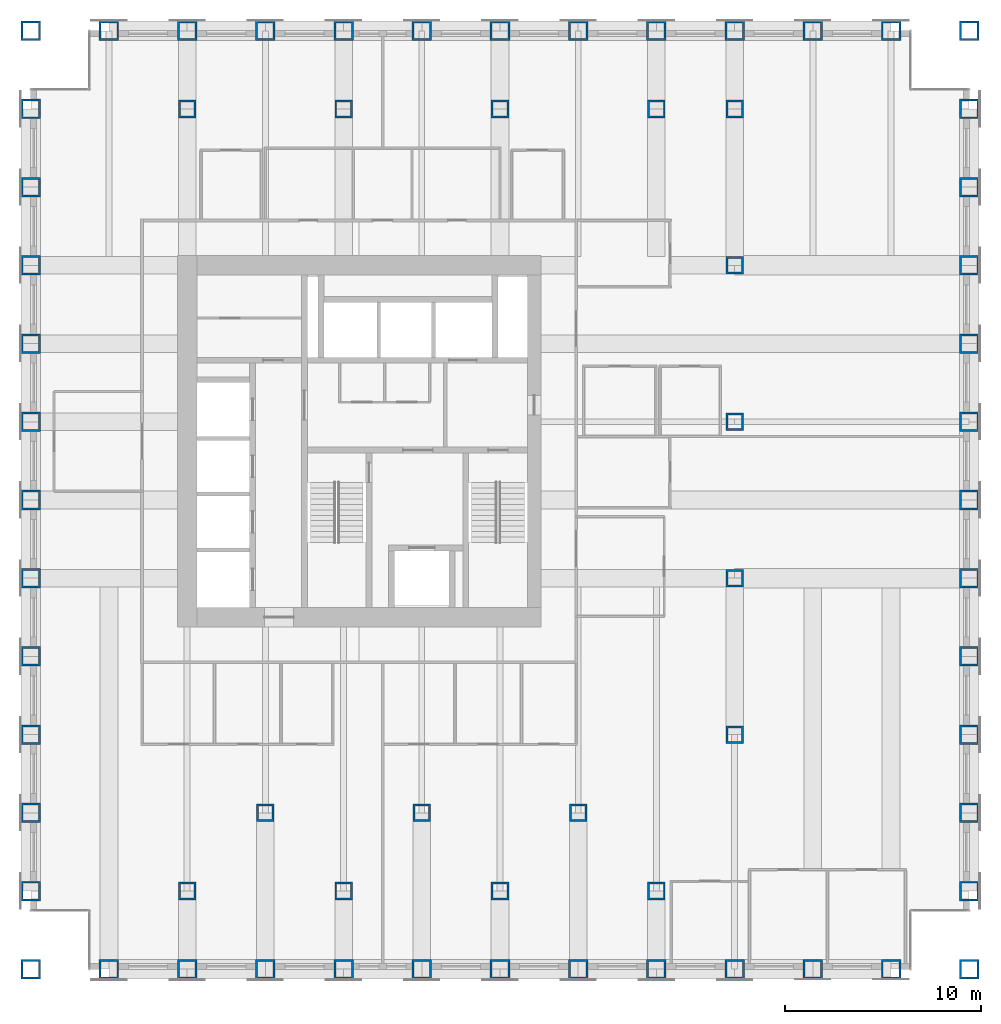
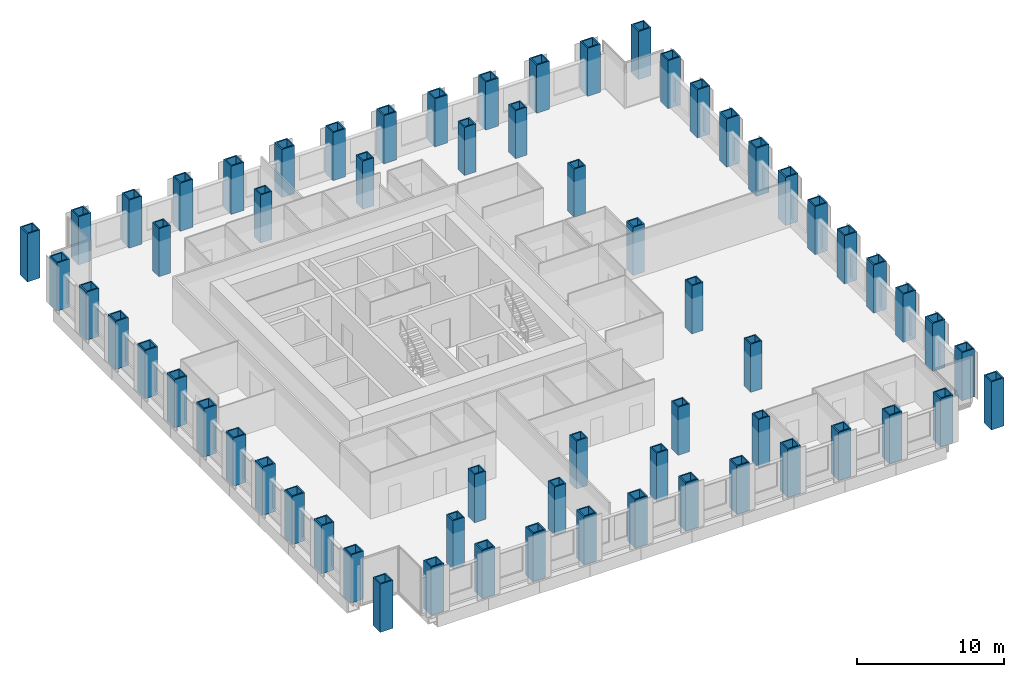
# One storey, part 1 of 16: 64 columns.
"""IFC4 building model written with IfcOpenShell, lengths in metres."""

import ifcopenshell
import ifcopenshell.guid

model = None  # the IFC model being written
_history = None  # IfcOwnerHistory: only IFC2X3 demands one
_inside = {}  # id of a spatial element -> (the spatial element, [elements in it])
_under = {}  # id of a project, library or spatial element -> (it, [spatial elements below it])
_declared = {}  # id of a project -> (the project, [libraries it declares])
_typed = {}  # id of a type object -> (the type object, [elements of that type])
_made_of = {}  # id of a material, layer set ... -> (it, [elements and type objects made of it])


def new_model(schema):
    """Start an empty IFC model of exactly this schema.

    Asked for "IFC4X3", IfcOpenShell would pick the latest addendum, in which some entities
    have other attributes; the version numbers below select the first issue.
    IFC2X3 requires an IfcOwnerHistory on every rooted entity: one is made here for all.
    """
    global model, _history
    if schema == "IFC4X3":
        model = ifcopenshell.file(schema_version=(4, 3, 0, 0))
    else:
        model = ifcopenshell.file(schema=schema)
    _inside.clear()
    _under.clear()
    _declared.clear()
    _typed.clear()
    _made_of.clear()
    _history = None
    if model.schema == "IFC2X3":
        org = make("IfcOrganization", Name="unknown")
        user = make(
            "IfcPersonAndOrganization",
            ThePerson=make("IfcPerson", FamilyName="unknown"),
            TheOrganization=org,
        )
        app = make(
            "IfcApplication",
            ApplicationDeveloper=org,
            Version="unknown",
            ApplicationFullName="unknown",
            ApplicationIdentifier="unknown",
        )
        _history = make(
            "IfcOwnerHistory",
            OwningUser=user,
            OwningApplication=app,
            ChangeAction="ADDED",
            CreationDate=0,
        )
    return model


def make(cls, **values):
    """One entity of the class cls with the attributes given. An attribute that is None is left unset."""
    return model.create_entity(
        cls, **{name: value for name, value in values.items() if value is not None}
    )


def rooted(cls, **values):
    """An entity with a GlobalId (a new one), such as an element, a storey or a relation."""
    return make(cls, GlobalId=ifcopenshell.guid.new(), OwnerHistory=_history, **values)


def si_unit(unit_type, name, prefix=None):
    """IfcSIUnit, for example si_unit("LENGTHUNIT", "METRE", prefix="MILLI")."""
    return make("IfcSIUnit", UnitType=unit_type, Prefix=prefix, Name=name)


def assignment(units):
    """IfcUnitAssignment: the units of a project."""
    return None if units is None else make("IfcUnitAssignment", Units=units)


def point(xyz):
    """IfcCartesianPoint."""
    return None if xyz is None else make("IfcCartesianPoint", Coordinates=xyz)


def direction(xyz):
    """IfcDirection."""
    return None if xyz is None else make("IfcDirection", DirectionRatios=xyz)


def frame(location, z_axis=None, x_axis=None):
    """IfcAxis2Placement3D, a coordinate frame: its origin and axes. An axis left out is left unset."""
    return make(
        "IfcAxis2Placement3D",
        Location=point(location),
        Axis=direction(z_axis),
        RefDirection=direction(x_axis),
    )


def frame_2d(location, x_axis=None):
    """IfcAxis2Placement2D, a coordinate frame in the plane: its origin and x axis."""
    return make(
        "IfcAxis2Placement2D", Location=point(location), RefDirection=direction(x_axis)
    )


def origin():
    """The frame at (0, 0, 0) with its axes left unset."""
    return frame((0.0, 0.0, 0.0))


def origin_2d():
    """The frame at (0, 0) in the plane with its x axis left unset."""
    return frame_2d((0.0, 0.0))


def place(relative_to, where):
    """IfcLocalPlacement: puts the frame where relative to a parent placement (None: the world)."""
    return make(
        "IfcLocalPlacement", PlacementRelTo=relative_to, RelativePlacement=where
    )


def context(
    kind, dimensions, precision=None, world=None, true_north=None, identifier=None
):
    """IfcGeometricRepresentationContext, for example the 3D "Model" context."""
    return make(
        "IfcGeometricRepresentationContext",
        ContextIdentifier=identifier,
        ContextType=kind,
        CoordinateSpaceDimension=dimensions,
        Precision=precision,
        WorldCoordinateSystem=world,
        TrueNorth=true_north,
    )


def subcontext(parent, identifier, kind, view, scale=None):
    """IfcGeometricRepresentationSubContext, for example "Body" below "Model"."""
    return make(
        "IfcGeometricRepresentationSubContext",
        ContextIdentifier=identifier,
        ContextType=kind,
        ParentContext=parent,
        TargetScale=scale,
        TargetView=view,
    )


def project(units=None, contexts=None):
    """IfcProject with its units and contexts."""
    return rooted(
        "IfcProject",
        Name="project",
        RepresentationContexts=contexts,
        UnitsInContext=assignment(units),
    )


def spatial(cls, under=None, at=None, **own):
    """A site, building, storey or space (cls), placed at a placement, below another one or the project."""
    s = rooted(cls, ObjectPlacement=at, **own)
    if under is not None:
        _under.setdefault(under.id(), (under, []))[1].append(s)
    return s


def profile(cls, at=None, kind="AREA", **sizes):
    """A parametric profile (cls). Its sizes go by their IFC names, for example OverallWidth=200.0."""
    return make(cls, ProfileType=kind, Position=at, **sizes)


def hollow_rectangle(**sizes):
    """IfcRectangleHollowProfileDef."""
    return profile("IfcRectangleHollowProfileDef", **sizes)


def extrude(swept, where, along, depth):
    """IfcExtrudedAreaSolid: the profile swept, set in the frame where, extruded along a direction by depth."""
    return make(
        "IfcExtrudedAreaSolid",
        SweptArea=swept,
        Position=where,
        ExtrudedDirection=direction(along),
        Depth=depth,
    )


def shape(context_of_items, identifier, shape_type, items):
    """IfcShapeRepresentation: the items that make up one representation, for example the "Body"."""
    return make(
        "IfcShapeRepresentation",
        ContextOfItems=context_of_items,
        RepresentationIdentifier=identifier,
        RepresentationType=shape_type,
        Items=items,
    )


def material(Name=None, Category=None):
    """IfcMaterial."""
    return make("IfcMaterial", Name=Name, Category=Category)


def material_profile(
    of_material, cross_section, Name=None, Category=None, Priority=None
):
    """IfcMaterialProfile: a cross section and its material."""
    return make(
        "IfcMaterialProfile",
        Name=Name,
        Material=of_material,
        Profile=cross_section,
        Priority=Priority,
        Category=Category,
    )


def profile_set(profiles, Name=None, composite=None):
    """IfcMaterialProfileSet."""
    return make(
        "IfcMaterialProfileSet",
        Name=Name,
        MaterialProfiles=profiles,
        CompositeProfile=composite,
    )


def made_of(thing, what):
    """Note that an element or type object is made of a material, layer set ...; save() writes the relation."""
    if what is not None:
        _made_of.setdefault(what.id(), (what, []))[1].append(thing)
    return thing


def type_object(cls, material=None, **own):
    """A type object (cls), such as IfcWallType, which elements share."""
    return made_of(rooted(cls, **own), material)


def element(
    cls,
    number,
    at=None,
    inside=None,
    cuts=None,
    type_object=None,
    material=None,
    context=None,
    identifier="Body",
    shape_type=None,
    held_by="IfcProductDefinitionShape",
    body=None,
    shapes=None,
    **own,
):
    """One element of the class cls, such as IfcWall. Its Tag is "e" and its number.

    at: its placement. inside: the storey or other place that contains it. cuts: it is an
    opening in that element (IfcRelVoidsElement). A single representation is given by context,
    identifier, shape_type and body (its items); several are given by shapes. held_by: the class
    of the entity that holds the representations. save() writes the other relations.
    """
    e = rooted(cls, Tag="e%d" % number, ObjectPlacement=at, **own)
    if body is not None:
        shapes = [shape(context, identifier, shape_type, body)]
    if shapes is not None:
        e.Representation = make(held_by, Representations=shapes)
    if inside is not None:
        _inside.setdefault(inside.id(), (inside, []))[1].append(e)
    if cuts is not None:
        rooted(
            "IfcRelVoidsElement", RelatingBuildingElement=cuts, RelatedOpeningElement=e
        )
    if type_object is not None:
        _typed.setdefault(type_object.id(), (type_object, []))[1].append(e)
    return made_of(e, material)


def aggregate(whole, parts):
    """IfcRelAggregates: a whole, such as a stair, and the parts it consists of."""
    return rooted("IfcRelAggregates", RelatingObject=whole, RelatedObjects=parts)


def save(model, path):
    """Write the relations noted so far, then the file.

    IfcRelAggregates (storeys below a building ...), IfcRelContainedInSpatialStructure (elements
    in a storey), IfcRelDefinesByType, IfcRelAssociatesMaterial and IfcRelDeclares: one each for
    every whole, place, type object, material and project.
    """
    for whole, parts in _under.values():
        aggregate(whole, parts)
    for where, things in _inside.values():
        rooted(
            "IfcRelContainedInSpatialStructure",
            RelatedElements=things,
            RelatingStructure=where,
        )
    for kind, things in _typed.values():
        rooted("IfcRelDefinesByType", RelatedObjects=things, RelatingType=kind)
    for what, things in _made_of.values():
        rooted("IfcRelAssociatesMaterial", RelatedObjects=things, RelatingMaterial=what)
    for by, libraries in _declared.values():
        rooted("IfcRelDeclares", RelatingContext=by, RelatedDefinitions=libraries)
    model.write(path)


model = new_model("IFC4")

# Units and contexts
model_context = context("Model", 3, precision=1e-05, world=origin(), true_north=direction((0.0, 1.0)))
body_context = subcontext(model_context, "Body", "Model", "MODEL_VIEW")
ifc_project = project(units=[si_unit("LENGTHUNIT", "METRE"), si_unit("AREAUNIT", "SQUARE_METRE"), si_unit("VOLUMEUNIT", "CUBIC_METRE"), si_unit("PLANEANGLEUNIT", "RADIAN"), si_unit("MASSUNIT", "GRAM", prefix="KILO")], contexts=[model_context])

# Site, building, storey
site_placement = place(None, origin())
site = spatial("IfcSite", under=ifc_project, at=site_placement, CompositionType="ELEMENT")
building_placement = place(site_placement, origin())
building = spatial("IfcBuilding", under=site, at=building_placement, Name="Rimbunsela Tower", CompositionType="ELEMENT")
storey_placement = place(building_placement, frame((0.0, 0.0, 97.39990234375)))
storey = spatial("IfcBuildingStorey", under=building, at=storey_placement, Name="L23", CompositionType="ELEMENT", Elevation=97.39990234375)

# Columns
ifc_material_1 = material(Name="Steel BJ 55 (fy 410 MPa)", Category="steel")
ifc_material_profile_1 = material_profile(ifc_material_1, hollow_rectangle(XDim=1.0, YDim=1.0, WallThickness=0.10009765625, at=origin_2d()), Name="BOX 1000x1000x100")
ifc_profile_set_1 = profile_set([ifc_material_profile_1], Name="Steel BJ 55 (fy 410 MPa)")
column_type_1 = type_object("IfcColumnType", Name="Column BOX 1000x1000x100", PredefinedType="COLUMN", material=ifc_profile_set_1)
for number, where, z_axis, x_axis, name in (
    (1, (10.0, 0.0, 0.0), (0.0, 0.0, 1.0), (1.0, 0.0, 0.0), "Column C1 5/B L23"),
    (2, (10.0, 4.0, 0.0), (0.0, 0.0, 1.0), (1.0, 0.0, 0.0), "Column C1 5/C L23"),
    (3, (10.0, 8.0, 0.0), (0.0, 0.0, 1.0), (1.0, 0.0, 0.0), "Column C1 5/D L23"),
    (4, (10.0, 12.0, 0.0), (0.0, 0.0, 1.0), (1.0, 0.0, 0.0), "Column C1 5/E L23"),
    (5, (10.0, 16.0, 0.0), (0.0, 0.0, 1.0), (1.0, 0.0, 0.0), "Column C1 5/F L23"),
    (6, (10.0, 20.0, 0.0), (0.0, 0.0, 1.0), (1.0, 0.0, 0.0), "Column C1 5/G L23"),
    (7, (10.0, 24.0, 0.0), (0.0, 0.0, 1.0), (1.0, 0.0, 0.0), "Column C1 5/H L23"),
    (8, (10.0, 28.0, 0.0), (0.0, 0.0, 1.0), (1.0, 0.0, 0.0), "Column C1 5/J L23"),
    (9, (10.0, 32.0, 0.0), (0.0, 0.0, 1.0), (1.0, 0.0, 0.0), "Column C1 5/K L23"),
    (10, (10.0, 36.0, 0.0), (0.0, 0.0, 1.0), (1.0, 0.0, 0.0), "Column C1 5/L L23"),
    (11, (10.0, 40.0, 0.0), (0.0, 0.0, 1.0), (1.0, 0.0, 0.0), "Column C1 5/M L23"),
    (12, (10.0, 44.0, 0.0), (0.0, 0.0, 1.0), (1.0, 0.0, 0.0), "Column C1 5/N L23"),
    (13, (10.0, 48.0, 0.0), (0.0, 0.0, 1.0), (1.0, 0.0, 0.0), "Column C1 5/P L23"),
    (14, (14.0, 0.0, 0.0), (0.0, 0.0, 1.0), (1.0, 0.0, 0.0), "Column C1 6/B L23"),
    (15, (14.0, 48.0, 0.0), (0.0, 0.0, 1.0), (1.0, 0.0, 0.0), "Column C1 6/P L23"),
    (16, (18.0, 0.0, 0.0), (0.0, 0.0, 1.0), (1.0, 0.0, 0.0), "Column C1 7/B L23"),
    (17, (18.0, 48.0, 0.0), (0.0, 0.0, 1.0), (1.0, 0.0, 0.0), "Column C1 7/P L23"),
    (18, (22.0, 0.0, 0.0), (0.0, 0.0, 1.0), (1.0, 0.0, 0.0), "Column C1 8/B L23"),
    (19, (22.0, 48.0, 0.0), (0.0, 0.0, 1.0), (1.0, 0.0, 0.0), "Column C1 8/P L23"),
    (20, (26.0, 0.0, 0.0), (0.0, 0.0, 1.0), (1.0, 0.0, 0.0), "Column C1 9/B L23"),
    (21, (26.0, 48.0, 0.0), (0.0, 0.0, 1.0), (1.0, 0.0, 0.0), "Column C1 9/P L23"),
    (22, (30.0, 0.0, 0.0), (0.0, 0.0, 1.0), (1.0, 0.0, 0.0), "Column C1 10/B L23"),
    (23, (30.0, 48.0, 0.0), (0.0, 0.0, 1.0), (1.0, 0.0, 0.0), "Column C1 10/P L23"),
    (24, (34.0, 0.0, 0.0), (0.0, 0.0, 1.0), (1.0, 0.0, 0.0), "Column C1 11/B L23"),
    (25, (34.0, 48.0, 0.0), (0.0, 0.0, 1.0), (1.0, 0.0, 0.0), "Column C1 11/P L23"),
    (26, (38.0, 0.0, 0.0), (0.0, 0.0, 1.0), (1.0, 0.0, 0.0), "Column C1 12/B L23"),
    (27, (38.0, 48.0, 0.0), (0.0, 0.0, 1.0), (1.0, 0.0, 0.0), "Column C1 12/P L23"),
    (28, (42.0, 0.0, 0.0), (0.0, 0.0, 1.0), (1.0, 0.0, 0.0), "Column C1 13/B L23"),
    (29, (42.0, 48.0, 0.0), (0.0, 0.0, 1.0), (1.0, 0.0, 0.0), "Column C1 13/P L23"),
    (30, (46.0, 0.0, 0.0), (0.0, 0.0, 1.0), (1.0, 0.0, 0.0), "Column C1 14/B L23"),
    (31, (46.0, 48.0, 0.0), (0.0, 0.0, 1.0), (1.0, 0.0, 0.0), "Column C1 14/P L23"),
    (32, (50.0, 0.0, 0.0), (0.0, 0.0, 1.0), (1.0, 0.0, 0.0), "Column C1 15/B L23"),
    (33, (50.0, 48.0, 0.0), (0.0, 0.0, 1.0), (1.0, 0.0, 0.0), "Column C1 15/P L23"),
    (34, (54.0, 0.0, 0.0), (0.0, 0.0, 1.0), (1.0, 0.0, 0.0), "Column C1 16/B L23"),
    (35, (54.0, 48.0, 0.0), (0.0, 0.0, 1.0), (1.0, 0.0, 0.0), "Column C1 16/P L23"),
    (36, (58.0, 0.0, 0.0), (0.0, 0.0, 1.0), (1.0, 0.0, 0.0), "Column C1 17/B L23"),
    (37, (58.0, 4.0, 0.0), (0.0, 0.0, 1.0), (1.0, 0.0, 0.0), "Column C1 17/C L23"),
    (38, (58.0, 8.0, 0.0), (0.0, 0.0, 1.0), (1.0, 0.0, 0.0), "Column C1 17/D L23"),
    (39, (58.0, 12.0, 0.0), (0.0, 0.0, 1.0), (1.0, 0.0, 0.0), "Column C1 17/E L23"),
    (40, (58.0, 16.0, 0.0), (0.0, 0.0, 1.0), (1.0, 0.0, 0.0), "Column C1 17/F L23"),
    (41, (58.0, 20.0, 0.0), (0.0, 0.0, 1.0), (1.0, 0.0, 0.0), "Column C1 17/G L23"),
    (42, (58.0, 24.0, 0.0), (0.0, 0.0, 1.0), (1.0, 0.0, 0.0), "Column C1 17/H L23"),
    (43, (58.0, 28.0, 0.0), (0.0, 0.0, 1.0), (1.0, 0.0, 0.0), "Column C1 17/J L23"),
    (44, (58.0, 32.0, 0.0), (0.0, 0.0, 1.0), (1.0, 0.0, 0.0), "Column C1 17/K L23"),
    (45, (58.0, 36.0, 0.0), (0.0, 0.0, 1.0), (1.0, 0.0, 0.0), "Column C1 17/L L23"),
    (46, (58.0, 40.0, 0.0), (0.0, 0.0, 1.0), (1.0, 0.0, 0.0), "Column C1 17/M L23"),
    (47, (58.0, 44.0, 0.0), (0.0, 0.0, 1.0), (1.0, 0.0, 0.0), "Column C1 17/N L23"),
    (48, (58.0, 48.0, 0.0), (0.0, 0.0, 1.0), (1.0, 0.0, 0.0), "Column C1 17/P L23"),
):
    element("IfcColumn", number, at=place(storey_placement, frame(where, z_axis=z_axis, x_axis=x_axis)), inside=storey, type_object=column_type_1, Name=name, PredefinedType="COLUMN", context=body_context, shape_type="SweptSolid", body=[
        extrude(hollow_rectangle(XDim=1.0, YDim=1.0, WallThickness=0.10009765625, at=origin_2d()), origin(), (0.0, 0.0, 1.0), 4.0),
    ])
ifc_material_2 = material(Name="Steel BJ 55 (fy 410 MPa)", Category="steel")
ifc_material_profile_2 = material_profile(ifc_material_2, hollow_rectangle(XDim=0.89990234375, YDim=0.89990234375, WallThickness=0.10009765625, at=origin_2d()), Name="BOX 900x900x100")
ifc_profile_set_2 = profile_set([ifc_material_profile_2], Name="Steel BJ 55 (fy 410 MPa)")
column_type_2 = type_object("IfcColumnType", Name="Column BOX 900x900x100", PredefinedType="COLUMN", material=ifc_profile_set_2)
for number, where, z_axis, x_axis, name in (
    (49, (18.0, 4.0, 0.0), (0.0, 0.0, 1.0), (1.0, 0.0, 0.0), "Column C5 7/C L23"),
    (50, (18.0, 44.0, 0.0), (0.0, 0.0, 1.0), (1.0, 0.0, 0.0), "Column C5 7/N L23"),
    (51, (22.0, 8.0, 0.0), (0.0, 0.0, 1.0), (1.0, 0.0, 0.0), "Column C5 8/D L23"),
    (52, (26.0, 4.0, 0.0), (0.0, 0.0, 1.0), (1.0, 0.0, 0.0), "Column C5 9/C L23"),
    (53, (26.0, 44.0, 0.0), (0.0, 0.0, 1.0), (1.0, 0.0, 0.0), "Column C5 9/N L23"),
    (54, (30.0, 8.0, 0.0), (0.0, 0.0, 1.0), (1.0, 0.0, 0.0), "Column C5 10/D L23"),
    (55, (34.0, 4.0, 0.0), (0.0, 0.0, 1.0), (1.0, 0.0, 0.0), "Column C5 11/C L23"),
    (56, (34.0, 44.0, 0.0), (0.0, 0.0, 1.0), (1.0, 0.0, 0.0), "Column C5 11/N L23"),
    (57, (38.0, 8.0, 0.0), (0.0, 0.0, 1.0), (1.0, 0.0, 0.0), "Column C5 12/D L23"),
    (58, (42.0, 4.0, 0.0), (0.0, 0.0, 1.0), (1.0, 0.0, 0.0), "Column C5 13/C L23"),
    (59, (42.0, 44.0, 0.0), (0.0, 0.0, 1.0), (1.0, 0.0, 0.0), "Column C5 13/N L23"),
    (60, (46.0, 12.0, 0.0), (0.0, 0.0, 1.0), (1.0, 0.0, 0.0), "Column C5 14/E L23"),
    (61, (46.0, 20.0, 0.0), (0.0, 0.0, 1.0), (1.0, 0.0, 0.0), "Column C5 14/G L23"),
    (62, (46.0, 28.0, 0.0), (0.0, 0.0, 1.0), (1.0, 0.0, 0.0), "Column C5 14/J L23"),
    (63, (46.0, 36.0, 0.0), (0.0, 0.0, 1.0), (1.0, 0.0, 0.0), "Column C5 14/L L23"),
    (64, (46.0, 44.0, 0.0), (0.0, 0.0, 1.0), (1.0, 0.0, 0.0), "Column C5 14/N L23"),
):
    element("IfcColumn", number, at=place(storey_placement, frame(where, z_axis=z_axis, x_axis=x_axis)), inside=storey, type_object=column_type_2, Name=name, PredefinedType="COLUMN", context=body_context, shape_type="SweptSolid", body=[
        extrude(hollow_rectangle(XDim=0.89990234375, YDim=0.89990234375, WallThickness=0.10009765625, at=origin_2d()), origin(), (0.0, 0.0, 1.0), 4.0),
    ])

save(model, "model.ifc")
